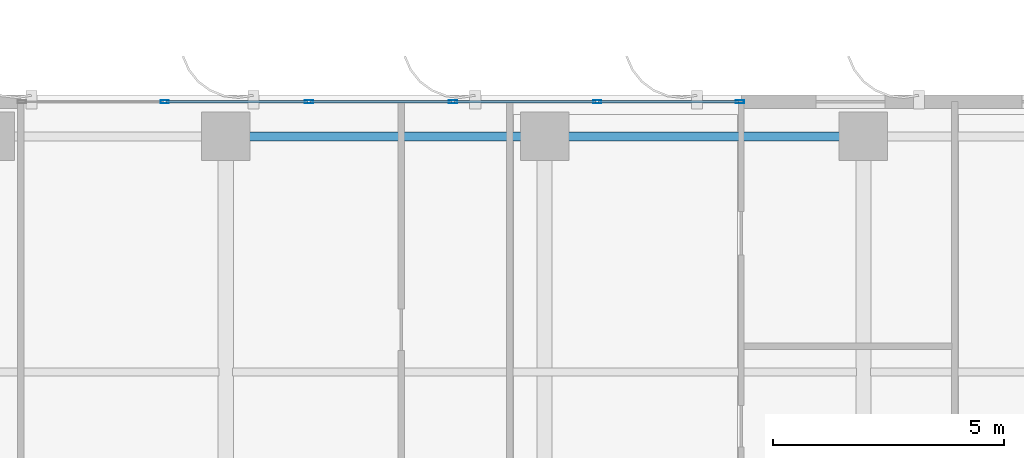
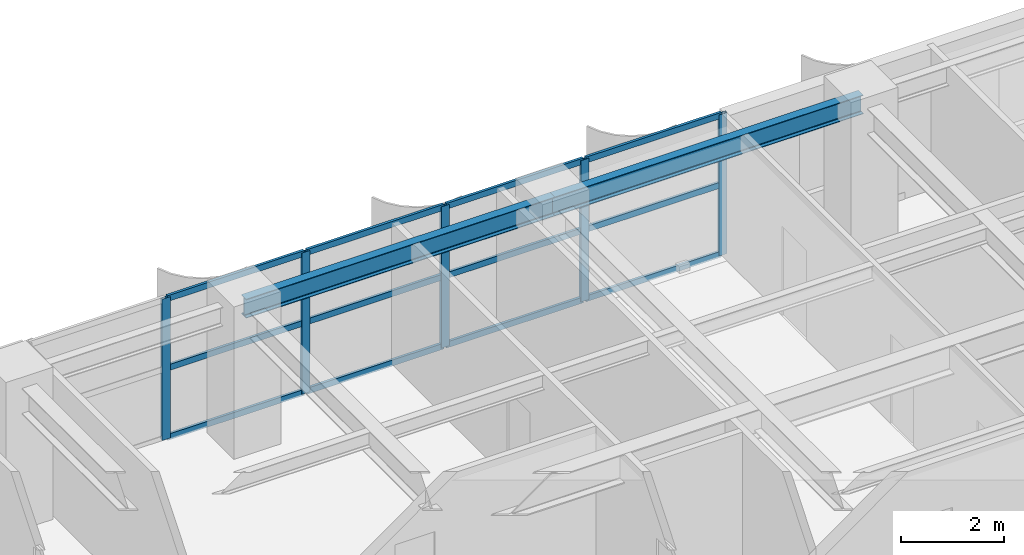
# One storey, part 11 of 22: 17 members, 2 beams, 1 element without a shape of its own.
"""IFC4 building model written with IfcOpenShell, lengths in metres."""

from ifc_helpers import new_model, si_unit, direction, frame, origin, origin_2d, place, context, subcontext, project, spatial, hollow_rectangle, i_section, extrude, source, transform, mapped, material, layer, layer_set, material_profile, profile_set, type_object, element, aggregate, save


model = new_model("IFC4")

# Units and contexts
model_context = context("Model", 3, precision=1e-05, world=origin(), true_north=direction((0.0, 1.0)))
body_context = subcontext(model_context, "Body", "Model", "MODEL_VIEW")
ifc_project = project(units=[si_unit("LENGTHUNIT", "METRE"), si_unit("AREAUNIT", "SQUARE_METRE"), si_unit("VOLUMEUNIT", "CUBIC_METRE"), si_unit("PLANEANGLEUNIT", "RADIAN"), si_unit("MASSUNIT", "GRAM", prefix="KILO")], contexts=[model_context])

# Site, building, storey
site_placement = place(None, origin())
site = spatial("IfcSite", under=ifc_project, at=site_placement, CompositionType="ELEMENT")
building_placement = place(site_placement, origin())
building = spatial("IfcBuilding", under=site, at=building_placement, Name="Khoralis Quay Care Tower", CompositionType="ELEMENT")
storey_placement = place(building_placement, frame((0.0, 0.0, 98.10009765625)))
storey = spatial("IfcBuildingStorey", under=building, at=storey_placement, Name="L25", CompositionType="ELEMENT", Elevation=98.10009765625)

# Beams
ifc_material_1 = material(Name="Steel S355", Category="steel")
ifc_material_profile_1 = material_profile(ifc_material_1, i_section(OverallWidth=0.18994140625, OverallDepth=0.449951171875, WebThickness=0.009521484375, FlangeThickness=0.0146484375, FilletRadius=0.02099609375, at=origin_2d()), Name="Steel S355")
ifc_profile_set_1 = profile_set([ifc_material_profile_1], Name="Steel S355")
beam_type = type_object("IfcBeamType", Name="BM-IPE450", PredefinedType="SPANDREL", material=ifc_profile_set_1)
shared_shape_1 = source(origin(), body_context, "Body", "SweptSolid", [
    extrude(i_section(OverallWidth=0.18994140625, OverallDepth=0.449951171875, WebThickness=0.009521484375, FlangeThickness=0.0146484375, FilletRadius=0.02099609375, at=origin_2d()), origin(), (0.0, 0.0, 1.0), 6.89990234375),
])
for number, where, z_axis, x_axis, name in (
    (1, (17.10009765625, 44.10009765625, 3.114990234375), (1.0, 0.0, 0.0), (0.0, 1.0, 0.0), "BM-TSP-L25-08"),
    (2, (24.0, 44.10009765625, 3.114990234375), (1.0, 0.0, 0.0), (0.0, 1.0, 0.0), "BM-TSP-L25-09"),
):
    element("IfcBeam", number, at=place(storey_placement, frame(where, z_axis=z_axis, x_axis=x_axis)), inside=storey, type_object=beam_type, Name=name, PredefinedType="SPANDREL", context=body_context, shape_type="MappedRepresentation", body=[
        mapped(shared_shape_1, transform((0.0, 0.0, 0.0), scale=1.0)),
    ])

# Curtain wall, members
ifc_material_2 = material(Name="Pale anodised aluminium", Category="aluminium")
ifc_layer = layer(ifc_material_2, 0.169921875)
ifc_layer_set = layer_set([ifc_layer], Name="Pale anodised aluminium")
curtain_wall_type = type_object("IfcCurtainWallType", Name="CW-SYS-Z2", PredefinedType="NOTDEFINED", material=ifc_layer_set)
curtain_wall_placement = place(storey_placement, origin())
curtain_wall = element("IfcCurtainWall", 3, at=curtain_wall_placement, inside=storey, type_object=curtain_wall_type, Name="L25 Unitised Curtain Wall CW-L25-P1-E10", PredefinedType="NOTDEFINED")
ifc_material_profile_2 = material_profile(ifc_material_2, hollow_rectangle(XDim=0.06494140625, YDim=0.179931640625, WallThickness=0.00390625, at=origin_2d()), Name="Pale anodised aluminium")
ifc_profile_set_2 = profile_set([ifc_material_profile_2], Name="Pale anodised aluminium")
member_type_1 = type_object("IfcMemberType", Name="CW-MUL-180", PredefinedType="MULLION", material=ifc_profile_set_2)
shared_shape_2 = source(origin(), body_context, "Body", "SweptSolid", [
    extrude(hollow_rectangle(XDim=0.06494140625, YDim=0.179931640625, WallThickness=0.00390625, at=origin_2d()), origin(), (0.0, 0.0, 1.0), 3.33984375),
])
member_1_placement = place(storey_placement, frame((28.22802734375, 44.85009765625, 0.0), z_axis=(0.0, 0.0, 1.0), x_axis=(0.0, -1.0, 0.0)))
member_1 = element("IfcMember", 4, at=member_1_placement, type_object=member_type_1, Name="CW2 mullion 1", PredefinedType="MULLION", context=body_context, shape_type="MappedRepresentation", body=[
    mapped(shared_shape_2, transform((0.0, 0.0, 0.0), scale=1.0)),
])
member_2_placement = place(storey_placement, frame((25.138427734375, 44.85009765625, 0.0), z_axis=(0.0, 0.0, 1.0), x_axis=(0.0, -1.0, 0.0)))
member_2 = element("IfcMember", 5, at=member_2_placement, type_object=member_type_1, Name="CW2 mullion 2", PredefinedType="MULLION", context=body_context, shape_type="MappedRepresentation", body=[
    mapped(shared_shape_2, transform((0.0, 0.0, 0.0), scale=1.0)),
])
member_3_placement = place(storey_placement, frame((22.018798828125, 44.85009765625, 0.0), z_axis=(0.0, 0.0, 1.0), x_axis=(0.0, -1.0, 0.0)))
member_3 = element("IfcMember", 6, at=member_3_placement, type_object=member_type_1, Name="CW2 mullion 3", PredefinedType="MULLION", context=body_context, shape_type="MappedRepresentation", body=[
    mapped(shared_shape_2, transform((0.0, 0.0, 0.0), scale=1.0)),
])
member_4_placement = place(storey_placement, frame((18.899169921875, 44.85009765625, 0.0), z_axis=(0.0, 0.0, 1.0), x_axis=(0.0, -1.0, 0.0)))
member_4 = element("IfcMember", 7, at=member_4_placement, type_object=member_type_1, Name="CW2 mullion 4", PredefinedType="MULLION", context=body_context, shape_type="MappedRepresentation", body=[
    mapped(shared_shape_2, transform((0.0, 0.0, 0.0), scale=1.0)),
])
member_5_placement = place(storey_placement, frame((15.779541015625, 44.85009765625, 0.0), z_axis=(0.0, 0.0, 1.0), x_axis=(0.0, -1.0, 0.0)))
member_5 = element("IfcMember", 8, at=member_5_placement, type_object=member_type_1, Name="CW2 mullion 5", PredefinedType="MULLION", context=body_context, shape_type="MappedRepresentation", body=[
    mapped(shared_shape_2, transform((0.0, 0.0, 0.0), scale=1.0)),
])
ifc_material_profile_3 = material_profile(ifc_material_2, hollow_rectangle(XDim=0.06005859375, YDim=0.139892578125, WallThickness=0.00390625, at=origin_2d()), Name="Pale anodised aluminium")
ifc_profile_set_3 = profile_set([ifc_material_profile_3], Name="Pale anodised aluminium")
member_type_2 = type_object("IfcMemberType", Name="CW-TRN-140", PredefinedType="USERDEFINED", material=ifc_profile_set_3)
shared_shape_3 = source(origin(), body_context, "Body", "SweptSolid", [
    extrude(hollow_rectangle(XDim=0.06005859375, YDim=0.139892578125, WallThickness=0.00390625, at=origin_2d()), origin(), (0.0, 0.0, 1.0), 3.029541015625),
])
member_6_placement = place(storey_placement, frame((28.197998046875, 44.85009765625, 0.02978515625), z_axis=(-1.0, 0.0, 0.0), x_axis=(0.0, -1.0, 0.0)))
member_6 = element("IfcMember", 9, at=member_6_placement, type_object=member_type_2, Name="CW2 transom 1.1", ObjectType="TRANSOM", PredefinedType="USERDEFINED", context=body_context, shape_type="MappedRepresentation", body=[
    mapped(shared_shape_3, transform((0.0, 0.0, 0.0), scale=1.0)),
])
member_7_placement = place(storey_placement, frame((28.197998046875, 44.85009765625, 1.669921875), z_axis=(-1.0, 0.0, 0.0), x_axis=(0.0, -1.0, 0.0)))
member_7 = element("IfcMember", 10, at=member_7_placement, type_object=member_type_2, Name="CW2 transom 1.2", ObjectType="TRANSOM", PredefinedType="USERDEFINED", context=body_context, shape_type="MappedRepresentation", body=[
    mapped(shared_shape_3, transform((0.0, 0.0, 0.0), scale=1.0)),
])
member_8_placement = place(storey_placement, frame((28.197998046875, 44.85009765625, 3.309814453125), z_axis=(-1.0, 0.0, 0.0), x_axis=(0.0, -1.0, 0.0)))
member_8 = element("IfcMember", 11, at=member_8_placement, type_object=member_type_2, Name="CW2 transom 1.3", ObjectType="TRANSOM", PredefinedType="USERDEFINED", context=body_context, shape_type="MappedRepresentation", body=[
    mapped(shared_shape_3, transform((0.0, 0.0, 0.0), scale=1.0)),
])
shared_shape_4 = source(origin(), body_context, "Body", "SweptSolid", [
    extrude(hollow_rectangle(XDim=0.06005859375, YDim=0.139892578125, WallThickness=0.00390625, at=origin_2d()), origin(), (0.0, 0.0, 1.0), 3.0595703125),
])
member_9_placement = place(storey_placement, frame((25.1083984375, 44.85009765625, 0.02978515625), z_axis=(-1.0, 0.0, 0.0), x_axis=(0.0, -1.0, 0.0)))
member_9 = element("IfcMember", 12, at=member_9_placement, type_object=member_type_2, Name="CW2 transom 2.1", ObjectType="TRANSOM", PredefinedType="USERDEFINED", context=body_context, shape_type="MappedRepresentation", body=[
    mapped(shared_shape_4, transform((0.0, 0.0, 0.0), scale=1.0)),
])
member_10_placement = place(storey_placement, frame((25.1083984375, 44.85009765625, 1.669921875), z_axis=(-1.0, 0.0, 0.0), x_axis=(0.0, -1.0, 0.0)))
member_10 = element("IfcMember", 13, at=member_10_placement, type_object=member_type_2, Name="CW2 transom 2.2", ObjectType="TRANSOM", PredefinedType="USERDEFINED", context=body_context, shape_type="MappedRepresentation", body=[
    mapped(shared_shape_4, transform((0.0, 0.0, 0.0), scale=1.0)),
])
member_11_placement = place(storey_placement, frame((25.1083984375, 44.85009765625, 3.309814453125), z_axis=(-1.0, 0.0, 0.0), x_axis=(0.0, -1.0, 0.0)))
member_11 = element("IfcMember", 14, at=member_11_placement, type_object=member_type_2, Name="CW2 transom 2.3", ObjectType="TRANSOM", PredefinedType="USERDEFINED", context=body_context, shape_type="MappedRepresentation", body=[
    mapped(shared_shape_4, transform((0.0, 0.0, 0.0), scale=1.0)),
])
member_12_placement = place(storey_placement, frame((21.98876953125, 44.85009765625, 0.02978515625), z_axis=(-1.0, 0.0, 0.0), x_axis=(0.0, -1.0, 0.0)))
member_12 = element("IfcMember", 15, at=member_12_placement, type_object=member_type_2, Name="CW2 transom 3.1", ObjectType="TRANSOM", PredefinedType="USERDEFINED", context=body_context, shape_type="MappedRepresentation", body=[
    mapped(shared_shape_4, transform((0.0, 0.0, 0.0), scale=1.0)),
])
member_13_placement = place(storey_placement, frame((21.98876953125, 44.85009765625, 1.669921875), z_axis=(-1.0, 0.0, 0.0), x_axis=(0.0, -1.0, 0.0)))
member_13 = element("IfcMember", 16, at=member_13_placement, type_object=member_type_2, Name="CW2 transom 3.2", ObjectType="TRANSOM", PredefinedType="USERDEFINED", context=body_context, shape_type="MappedRepresentation", body=[
    mapped(shared_shape_4, transform((0.0, 0.0, 0.0), scale=1.0)),
])
member_14_placement = place(storey_placement, frame((21.98876953125, 44.85009765625, 3.309814453125), z_axis=(-1.0, 0.0, 0.0), x_axis=(0.0, -1.0, 0.0)))
member_14 = element("IfcMember", 17, at=member_14_placement, type_object=member_type_2, Name="CW2 transom 3.3", ObjectType="TRANSOM", PredefinedType="USERDEFINED", context=body_context, shape_type="MappedRepresentation", body=[
    mapped(shared_shape_4, transform((0.0, 0.0, 0.0), scale=1.0)),
])
member_15_placement = place(storey_placement, frame((18.869140625, 44.85009765625, 0.02978515625), z_axis=(-1.0, 0.0, 0.0), x_axis=(0.0, -1.0, 0.0)))
member_15 = element("IfcMember", 18, at=member_15_placement, type_object=member_type_2, Name="CW2 transom 4.1", ObjectType="TRANSOM", PredefinedType="USERDEFINED", context=body_context, shape_type="MappedRepresentation", body=[
    mapped(shared_shape_4, transform((0.0, 0.0, 0.0), scale=1.0)),
])
member_16_placement = place(storey_placement, frame((18.869140625, 44.85009765625, 1.669921875), z_axis=(-1.0, 0.0, 0.0), x_axis=(0.0, -1.0, 0.0)))
member_16 = element("IfcMember", 19, at=member_16_placement, type_object=member_type_2, Name="CW2 transom 4.2", ObjectType="TRANSOM", PredefinedType="USERDEFINED", context=body_context, shape_type="MappedRepresentation", body=[
    mapped(shared_shape_4, transform((0.0, 0.0, 0.0), scale=1.0)),
])
member_17_placement = place(storey_placement, frame((18.869140625, 44.85009765625, 3.309814453125), z_axis=(-1.0, 0.0, 0.0), x_axis=(0.0, -1.0, 0.0)))
member_17 = element("IfcMember", 20, at=member_17_placement, type_object=member_type_2, Name="CW2 transom 4.3", ObjectType="TRANSOM", PredefinedType="USERDEFINED", context=body_context, shape_type="MappedRepresentation", body=[
    mapped(shared_shape_4, transform((0.0, 0.0, 0.0), scale=1.0)),
])
aggregate(curtain_wall, [member_1, member_2, member_3, member_4, member_5, member_6, member_7, member_8, member_9, member_10, member_11, member_12, member_13, member_14, member_15, member_16, member_17])

save(model, "model.ifc")
